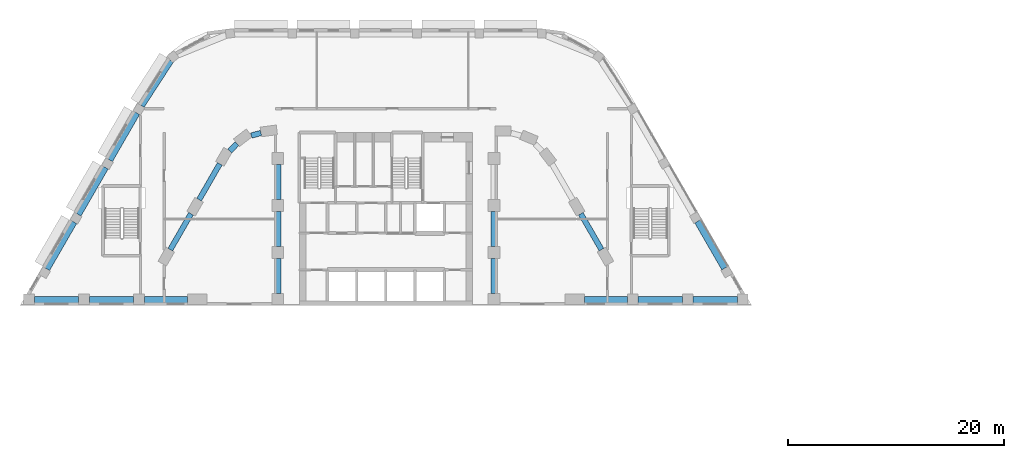
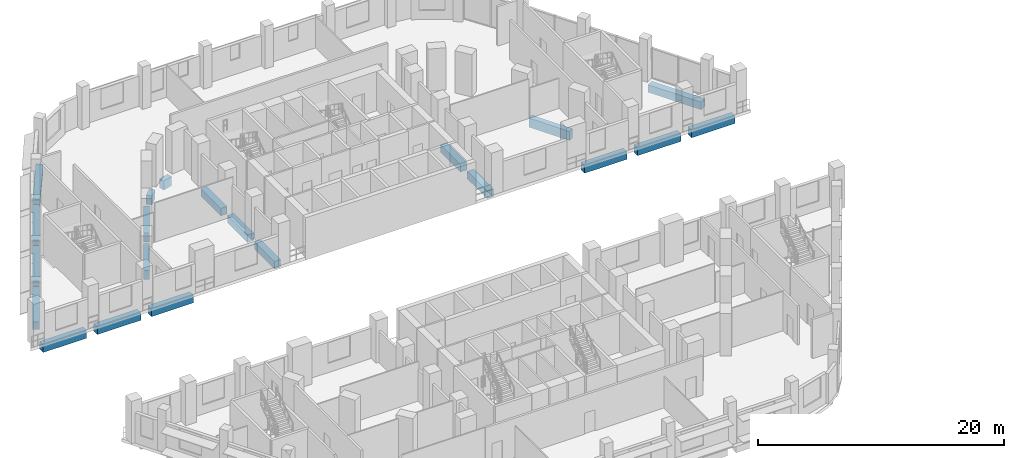
# One storey, part 3 of 47: 21 beams.
"""IFC4 building model written with IfcOpenShell, lengths in metres."""

from ifc_helpers import new_model, si_unit, direction, frame, origin, origin_2d, place, context, subcontext, project, spatial, rectangle, extrude, material, material_profile, profile_set, type_object, element, save


model = new_model("IFC4")

# Units and contexts
model_context = context("Model", 3, precision=1e-05, world=origin(), true_north=direction((0.0, 1.0)))
body_context = subcontext(model_context, "Body", "Model", "MODEL_VIEW")
ifc_project = project(units=[si_unit("LENGTHUNIT", "METRE"), si_unit("AREAUNIT", "SQUARE_METRE"), si_unit("VOLUMEUNIT", "CUBIC_METRE"), si_unit("PLANEANGLEUNIT", "RADIAN"), si_unit("MASSUNIT", "GRAM", prefix="KILO")], contexts=[model_context])

# Site, building, storey
site_placement = place(None, origin())
site = spatial("IfcSite", under=ifc_project, at=site_placement, CompositionType="ELEMENT")
building_placement = place(site_placement, origin())
building = spatial("IfcBuilding", under=site, at=building_placement, Name="Nakaniwa Court", CompositionType="ELEMENT")
storey_placement = place(building_placement, frame((0.0, 0.0, 15.60009765625)))
storey = spatial("IfcBuildingStorey", under=building, at=storey_placement, Name="L03", CompositionType="ELEMENT", Elevation=15.60009765625)

# Beams
ifc_material = material(Name="Concrete C100/115", Category="concrete")
ifc_material_profile_1 = material_profile(ifc_material, rectangle(XDim=0.5, YDim=0.89990234375, at=origin_2d()), Name="Concrete C100/115 RC 500x900 spandrel beam")
ifc_profile_set_1 = profile_set([ifc_material_profile_1], Name="Concrete C100/115")
beam_type_1 = type_object("IfcBeamType", Name="Concrete C100/115 RC 500x900 spandrel beam", PredefinedType="BEAM", material=ifc_profile_set_1)
beam_1_placement = place(storey_placement, frame((68.444580078125, 103.35546875, -0.75), z_axis=(-0.966287893493, -0.25746399144, 0.0), x_axis=(0.25746399144, -0.966287893493, 0.0)))
element("IfcBeam", 1, at=beam_1_placement, inside=storey, type_object=beam_type_1, Name="SPANDREL BEAM", PredefinedType="BEAM", context=body_context, shape_type="SweptSolid", body=[
    extrude(rectangle(XDim=0.5, YDim=0.89990234375, at=origin_2d()), origin(), (0.0, 0.0, 1.0), 0.91796875),
])
beam_2_placement = place(storey_placement, frame((66.238525390625, 102.374267578125, -0.75), z_axis=(-0.706081618928, -0.708130459317, 0.0), x_axis=(0.708130459317, -0.706081618928, 0.0)))
element("IfcBeam", 2, at=beam_2_placement, inside=storey, type_object=beam_type_1, Name="SPANDREL BEAM", PredefinedType="BEAM", context=body_context, shape_type="SweptSolid", body=[
    extrude(rectangle(XDim=0.5, YDim=0.89990234375, at=origin_2d()), origin(), (0.0, 0.0, 1.0), 0.953369140625),
])
beam_3_placement = place(storey_placement, frame((64.642578125, 100.5, -0.75), z_axis=(-0.500009674092, -0.866019818373, 0.0), x_axis=(0.866019818373, -0.500009674092, 0.0)))
element("IfcBeam", 3, at=beam_3_placement, inside=storey, type_object=beam_type_1, Name="SPANDREL BEAM", PredefinedType="BEAM", context=body_context, shape_type="SweptSolid", body=[
    extrude(rectangle(XDim=0.5, YDim=0.89990234375, at=origin_2d()), origin(), (0.0, 0.0, 1.0), 3.826171875),
])
for number, where, z_axis, x_axis, name in (
    (4, (61.9794921875, 95.8876953125, -0.75), (-0.499961815444, -0.866047448526, 0.0), (0.866047448526, -0.499961815444, 0.0), "SPANDREL BEAM"),
    (5, (99.933349609375, 92.57421875, -0.75), (-0.499961815444, 0.866047448526, 0.0), (-0.866047448526, -0.499961815444, 0.0), "SPANDREL BEAM"),
):
    element("IfcBeam", number, at=place(storey_placement, frame(where, z_axis=z_axis, x_axis=x_axis)), inside=storey, type_object=beam_type_1, Name=name, PredefinedType="BEAM", context=body_context, shape_type="SweptSolid", body=[
        extrude(rectangle(XDim=0.5, YDim=0.89990234375, at=origin_2d()), origin(), (0.0, 0.0, 1.0), 3.825927734375),
    ])
ifc_material_profile_2 = material_profile(ifc_material, rectangle(XDim=0.60009765625, YDim=0.75, at=origin_2d()), Name="Concrete C100/115 RC 600x750 ring beam")
ifc_profile_set_2 = profile_set([ifc_material_profile_2], Name="Concrete C100/115")
beam_type_2 = type_object("IfcBeamType", Name="Concrete C100/115 RC 600x750 ring beam", PredefinedType="BEAM", material=ifc_profile_set_2)
for number, where, z_axis, x_axis, name in (
    (6, (90.0, 88.5, -0.675048828125), (0.0, 1.0, 0.0), (-1.0, 0.0, 0.0), "RING BEAM"),
    (7, (90.0, 92.85009765625, -0.675048828125), (0.0, 1.0, 0.0), (-1.0, 0.0, 0.0), "RING BEAM"),
    (8, (70.0, 100.449951171875, -0.675048828125), (0.0, -1.0, 0.0), (1.0, 0.0, 0.0), "RING BEAM"),
    (9, (70.0, 96.10009765625, -0.675048828125), (0.0, -1.0, 0.0), (1.0, 0.0, 0.0), "RING BEAM"),
    (10, (70.0, 91.75, -0.675048828125), (0.0, -1.0, 0.0), (1.0, 0.0, 0.0), "RING BEAM"),
):
    element("IfcBeam", number, at=place(storey_placement, frame(where, z_axis=z_axis, x_axis=x_axis)), inside=storey, type_object=beam_type_2, Name=name, PredefinedType="BEAM", context=body_context, shape_type="SweptSolid", body=[
        extrude(rectangle(XDim=0.60009765625, YDim=0.75, at=origin_2d()), origin(), (0.0, 0.0, 1.0), 3.25),
    ])
beam_4_placement = place(storey_placement, frame((60.096435546875, 110.05517578125, -0.675048828125), z_axis=(-0.545297150408, -0.838242815512, 0.0), x_axis=(0.838242815512, -0.545297150408, 0.0)))
element("IfcBeam", 11, at=beam_4_placement, inside=storey, type_object=beam_type_2, Name="RING BEAM", PredefinedType="BEAM", context=body_context, shape_type="SweptSolid", body=[
    extrude(rectangle(XDim=0.60009765625, YDim=0.75, at=origin_2d()), origin(), (0.0, 0.0, 1.0), 4.9736328125),
])
for number, where, z_axis, x_axis, name in (
    (12, (56.9658203125, 105.20361328125, -0.675048828125), (-0.499980823911, -0.866036474822, 0.0), (0.866036474822, -0.499980823911, 0.0), "RING BEAM"),
    (13, (54.057373046875, 100.166259765625, -0.675048828125), (-0.499980823911, -0.866036474822, 0.0), (0.866036474822, -0.499980823911, 0.0), "RING BEAM"),
    (14, (51.149169921875, 95.12890625, -0.675048828125), (-0.500017322015, -0.866015402684, 0.0), (0.866015402684, -0.500017322015, 0.0), "RING BEAM"),
):
    element("IfcBeam", number, at=place(storey_placement, frame(where, z_axis=z_axis, x_axis=x_axis)), inside=storey, type_object=beam_type_2, Name=name, PredefinedType="BEAM", context=body_context, shape_type="SweptSolid", body=[
        extrude(rectangle(XDim=0.60009765625, YDim=0.75, at=origin_2d()), origin(), (0.0, 0.0, 1.0), 5.016845703125),
    ])
beam_5_placement = place(storey_placement, frame((111.322998046875, 90.8466796875, -0.675048828125), z_axis=(-0.499960447986, 0.866048237946, 0.0), x_axis=(-0.866048237946, -0.499960447986, 0.0)))
element("IfcBeam", 15, at=beam_5_placement, inside=storey, type_object=beam_type_2, Name="RING BEAM", PredefinedType="BEAM", context=body_context, shape_type="SweptSolid", body=[
    extrude(rectangle(XDim=0.60009765625, YDim=0.75, at=origin_2d()), origin(), (0.0, 0.0, 1.0), 5.00244140625),
])
beam_6_placement = place(storey_placement, frame((47.50390625, 87.949951171875, -0.675048828125), z_axis=(1.0, 0.0, 0.0), x_axis=(0.0, 1.0, 0.0)))
element("IfcBeam", 16, at=beam_6_placement, inside=storey, type_object=beam_type_2, Name="RING BEAM", PredefinedType="BEAM", context=body_context, shape_type="SweptSolid", body=[
    extrude(rectangle(XDim=0.60009765625, YDim=0.75, at=origin_2d()), origin(), (0.0, 0.0, 1.0), 4.087158203125),
])
beam_7_placement = place(storey_placement, frame((52.591064453125, 87.949951171875, -0.675048828125), z_axis=(1.0, 0.0, 0.0), x_axis=(0.0, 1.0, 0.0)))
element("IfcBeam", 17, at=beam_7_placement, inside=storey, type_object=beam_type_2, Name="RING BEAM", PredefinedType="BEAM", context=body_context, shape_type="SweptSolid", body=[
    extrude(rectangle(XDim=0.60009765625, YDim=0.75, at=origin_2d()), origin(), (0.0, 0.0, 1.0), 4.0859375),
])
for number, where, z_axis, x_axis, name in (
    (18, (57.677001953125, 87.949951171875, -0.675048828125), (1.0, 0.0, 0.0), (0.0, 1.0, 0.0), "RING BEAM"),
    (19, (98.35791015625, 87.949951171875, -0.675048828125), (1.0, 0.0, 0.0), (0.0, 1.0, 0.0), "RING BEAM"),
):
    element("IfcBeam", number, at=place(storey_placement, frame(where, z_axis=z_axis, x_axis=x_axis)), inside=storey, type_object=beam_type_2, Name=name, PredefinedType="BEAM", context=body_context, shape_type="SweptSolid", body=[
        extrude(rectangle(XDim=0.60009765625, YDim=0.75, at=origin_2d()), origin(), (0.0, 0.0, 1.0), 3.965087890625),
    ])
beam_8_placement = place(storey_placement, frame((103.322998046875, 87.949951171875, -0.675048828125), z_axis=(1.0, 0.0, 0.0), x_axis=(0.0, 1.0, 0.0)))
element("IfcBeam", 20, at=beam_8_placement, inside=storey, type_object=beam_type_2, Name="RING BEAM", PredefinedType="BEAM", context=body_context, shape_type="SweptSolid", body=[
    extrude(rectangle(XDim=0.60009765625, YDim=0.75, at=origin_2d()), origin(), (0.0, 0.0, 1.0), 4.0859375),
])
beam_9_placement = place(storey_placement, frame((108.408935546875, 87.949951171875, -0.675048828125), z_axis=(1.0, 0.0, 0.0), x_axis=(0.0, 1.0, 0.0)))
element("IfcBeam", 21, at=beam_9_placement, inside=storey, type_object=beam_type_2, Name="RING BEAM", PredefinedType="BEAM", context=body_context, shape_type="SweptSolid", body=[
    extrude(rectangle(XDim=0.60009765625, YDim=0.75, at=origin_2d()), origin(), (0.0, 0.0, 1.0), 4.087158203125),
])

save(model, "model.ifc")
